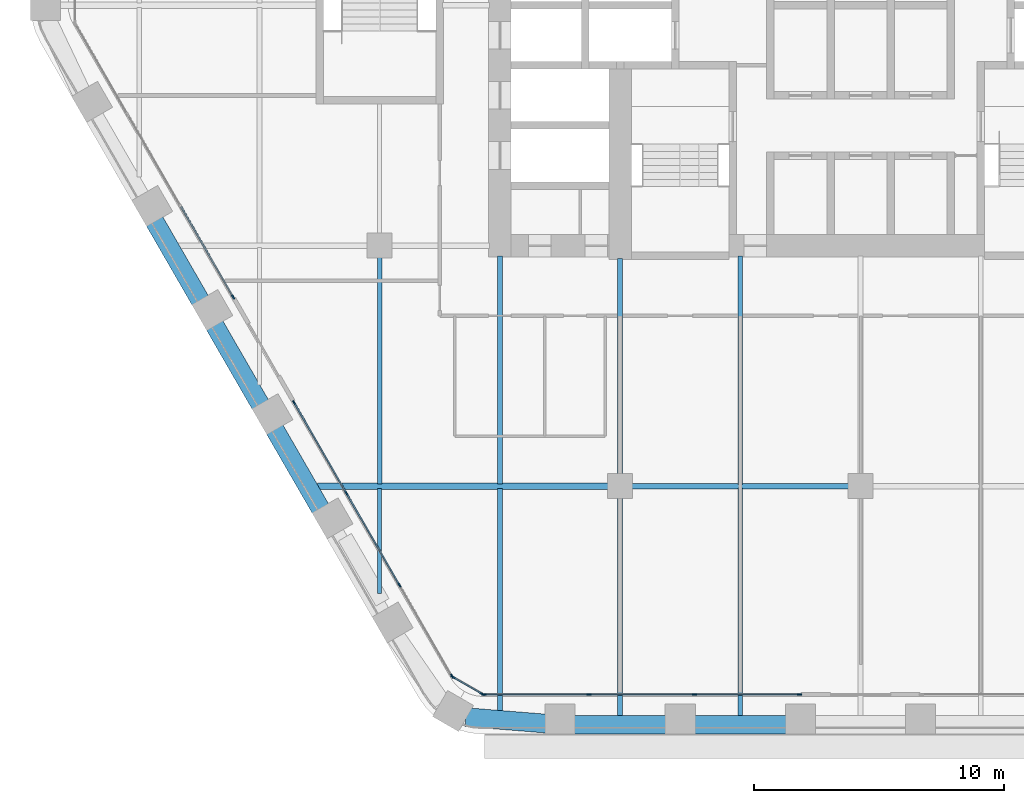
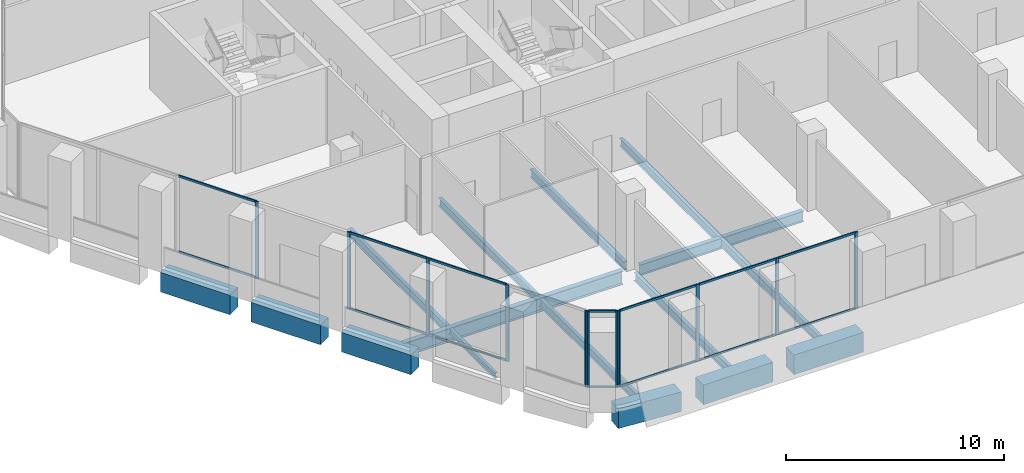
# One storey, part 2 of 22: 25 members, 16 beams, 4 elements without a shape of their own.
"""IFC4 building model written with IfcOpenShell, lengths in metres."""

from ifc_helpers import new_model, si_unit, direction, frame, origin, origin_2d, place, context, subcontext, project, spatial, rectangle, i_section, extrude, material, material_profile, profile_set, type_object, element, aggregate, save


model = new_model("IFC4")

# Units and contexts
model_context = context("Model", 3, precision=1e-05, world=origin(), true_north=direction((0.0, 1.0)))
body_context = subcontext(model_context, "Body", "Model", "MODEL_VIEW")
ifc_project = project(units=[si_unit("LENGTHUNIT", "METRE"), si_unit("AREAUNIT", "SQUARE_METRE"), si_unit("VOLUMEUNIT", "CUBIC_METRE"), si_unit("PLANEANGLEUNIT", "RADIAN"), si_unit("MASSUNIT", "GRAM", prefix="KILO")], contexts=[model_context])

# Site, building, storey
site_placement = place(None, origin())
site = spatial("IfcSite", under=ifc_project, at=site_placement, CompositionType="ELEMENT")
building_placement = place(site_placement, origin())
building = spatial("IfcBuilding", under=site, at=building_placement, Name="Kolab Exchange Tower", CompositionType="ELEMENT")
storey_placement = place(building_placement, frame((0.0, 0.0, 113.89990234375)))
storey = spatial("IfcBuildingStorey", under=building, at=storey_placement, Name="L22", CompositionType="ELEMENT", Elevation=113.89990234375)

# Beams
ifc_material_1 = material(Name="Steel S355", Category="steel")
ifc_material_profile_1 = material_profile(ifc_material_1, i_section(OverallWidth=0.1650390625, OverallDepth=0.31005859375, WebThickness=0.005859375, FlangeThickness=0.009765625, at=origin_2d()), Name="W310X39")
ifc_profile_set_1 = profile_set([ifc_material_profile_1], Name="Steel S355")
beam_type_1 = type_object("IfcBeamType", Name="FLOOR BEAM W310X39", PredefinedType="BEAM", material=ifc_profile_set_1)
beam_1_placement = place(storey_placement, frame((-19.199951171875, -23.4814453125, -0.35498046875), z_axis=(0.0, 1.0, 0.0), x_axis=(-1.0, 0.0, 0.0)))
element("IfcBeam", 1, at=beam_1_placement, inside=storey, type_object=beam_type_1, Name="beam/L22/fr/006", PredefinedType="BEAM", context=body_context, shape_type="SweptSolid", body=[
    extrude(i_section(OverallWidth=0.1650390625, OverallDepth=0.31005859375, WebThickness=0.005859375, FlangeThickness=0.009765625, at=origin_2d()), origin(), (0.0, 0.0, 1.0), 4.18798828125),
])
ifc_material_profile_2 = material_profile(ifc_material_1, i_section(OverallWidth=0.18994140625, OverallDepth=0.45703125, WebThickness=0.009033203125, FlangeThickness=0.014404296875, at=origin_2d()), Name="W460X74")
ifc_profile_set_2 = profile_set([ifc_material_profile_2], Name="Steel S355")
beam_type_2 = type_object("IfcBeamType", Name="FLOOR BEAM W460X74", PredefinedType="BEAM", material=ifc_profile_set_2)
beam_2_placement = place(storey_placement, frame((-19.199951171875, -19.1064453125, -0.428466796875), z_axis=(0.0, 1.0, 0.0), x_axis=(-1.0, 0.0, 0.0)))
element("IfcBeam", 2, at=beam_2_placement, inside=storey, type_object=beam_type_2, Name="beam/L22/fr/007", PredefinedType="BEAM", context=body_context, shape_type="SweptSolid", body=[
    extrude(i_section(OverallWidth=0.18994140625, OverallDepth=0.45703125, WebThickness=0.009033203125, FlangeThickness=0.014404296875, at=origin_2d()), origin(), (0.0, 0.0, 1.0), 9.04638671875),
])
beam_3_placement = place(storey_placement, frame((-14.39990234375, -28.194580078125, -0.428466796875), z_axis=(0.0, 1.0, 0.0), x_axis=(-1.0, 0.0, 0.0)))
element("IfcBeam", 3, at=beam_3_placement, inside=storey, type_object=beam_type_2, Name="beam/L22/fr/012", PredefinedType="BEAM", context=body_context, shape_type="SweptSolid", body=[
    extrude(i_section(OverallWidth=0.18994140625, OverallDepth=0.45703125, WebThickness=0.009033203125, FlangeThickness=0.014404296875, at=origin_2d()), origin(), (0.0, 0.0, 1.0), 8.901123046875),
])
beam_4_placement = place(storey_placement, frame((-14.39990234375, -19.1064453125, -0.428466796875), z_axis=(0.0, 1.0, 0.0), x_axis=(-1.0, 0.0, 0.0)))
element("IfcBeam", 4, at=beam_4_placement, inside=storey, type_object=beam_type_2, Name="beam/L22/fr/013", PredefinedType="BEAM", context=body_context, shape_type="SweptSolid", body=[
    extrude(i_section(OverallWidth=0.18994140625, OverallDepth=0.45703125, WebThickness=0.009033203125, FlangeThickness=0.014404296875, at=origin_2d()), origin(), (0.0, 0.0, 1.0), 9.096435546875),
])
beam_5_placement = place(storey_placement, frame((-9.60009765625, -28.388427734375, -0.428466796875), z_axis=(0.0, 1.0, 0.0), x_axis=(-1.0, 0.0, 0.0)))
element("IfcBeam", 5, at=beam_5_placement, inside=storey, type_object=beam_type_2, Name="beam/L22/fr/016", PredefinedType="BEAM", context=body_context, shape_type="SweptSolid", body=[
    extrude(i_section(OverallWidth=0.18994140625, OverallDepth=0.45703125, WebThickness=0.009033203125, FlangeThickness=0.014404296875, at=origin_2d()), origin(), (0.0, 0.0, 1.0), 8.728515625),
])
beam_6_placement = place(storey_placement, frame((-9.60009765625, -18.739990234375, -0.428466796875), z_axis=(0.0, 1.0, 0.0), x_axis=(-1.0, 0.0, 0.0)))
element("IfcBeam", 6, at=beam_6_placement, inside=storey, type_object=beam_type_2, Name="beam/L22/fr/017", PredefinedType="BEAM", context=body_context, shape_type="SweptSolid", body=[
    extrude(i_section(OverallWidth=0.18994140625, OverallDepth=0.45703125, WebThickness=0.009033203125, FlangeThickness=0.014404296875, at=origin_2d()), origin(), (0.0, 0.0, 1.0), 8.6298828125),
])
beam_7_placement = place(storey_placement, frame((-4.800048828125, -28.388427734375, -0.428466796875), z_axis=(0.0, 1.0, 0.0), x_axis=(-1.0, 0.0, 0.0)))
element("IfcBeam", 7, at=beam_7_placement, inside=storey, type_object=beam_type_2, Name="beam/L22/fr/020", PredefinedType="BEAM", context=body_context, shape_type="SweptSolid", body=[
    extrude(i_section(OverallWidth=0.18994140625, OverallDepth=0.45703125, WebThickness=0.009033203125, FlangeThickness=0.014404296875, at=origin_2d()), origin(), (0.0, 0.0, 1.0), 9.114501953125),
])
beam_8_placement = place(storey_placement, frame((-4.800048828125, -19.1259765625, -0.428466796875), z_axis=(0.0, 1.0, 0.0), x_axis=(-1.0, 0.0, 0.0)))
element("IfcBeam", 8, at=beam_8_placement, inside=storey, type_object=beam_type_2, Name="beam/L22/fr/021", PredefinedType="BEAM", context=body_context, shape_type="SweptSolid", body=[
    extrude(i_section(OverallWidth=0.18994140625, OverallDepth=0.45703125, WebThickness=0.009033203125, FlangeThickness=0.014404296875, at=origin_2d()), origin(), (0.0, 0.0, 1.0), 9.115966796875),
])
ifc_material_profile_3 = material_profile(ifc_material_1, i_section(OverallWidth=0.22802734375, OverallDepth=0.60791015625, WebThickness=0.01123046875, FlangeThickness=0.017333984375, at=origin_2d()), Name="W610X113")
ifc_profile_set_3 = profile_set([ifc_material_profile_3], Name="Steel S355")
beam_type_3 = type_object("IfcBeamType", Name="FLOOR GIRDER W610X113", PredefinedType="BEAM", material=ifc_profile_set_3)
beam_9_placement = place(storey_placement, frame((-9.139892578125, -19.199951171875, -0.50390625), z_axis=(1.0, 0.0, 0.0), x_axis=(0.0, 1.0, 0.0)))
element("IfcBeam", 9, at=beam_9_placement, inside=storey, type_object=beam_type_3, Name="beam/L22/gd/008", PredefinedType="BEAM", context=body_context, shape_type="SweptSolid", body=[
    extrude(i_section(OverallWidth=0.22802734375, OverallDepth=0.60791015625, WebThickness=0.01123046875, FlangeThickness=0.017333984375, at=origin_2d()), origin(), (0.0, 0.0, 1.0), 8.679931640625),
])
ifc_material_profile_4 = material_profile(ifc_material_1, i_section(OverallWidth=0.26708984375, OverallDepth=0.761962890625, WebThickness=0.014404296875, FlangeThickness=0.021484375, at=origin_2d()), Name="W760X173")
ifc_profile_set_4 = profile_set([ifc_material_profile_4], Name="Steel S355")
beam_type_4 = type_object("IfcBeamType", Name="FLOOR GIRDER W760X173", PredefinedType="BEAM", material=ifc_profile_set_4)
beam_10_placement = place(storey_placement, frame((-21.688720703125, -19.199951171875, -0.580810546875), z_axis=(1.0, 0.0, 0.0), x_axis=(0.0, 1.0, 0.0)))
element("IfcBeam", 10, at=beam_10_placement, inside=storey, type_object=beam_type_4, Name="beam/L22/gd/003", PredefinedType="BEAM", context=body_context, shape_type="SweptSolid", body=[
    extrude(i_section(OverallWidth=0.26708984375, OverallDepth=0.761962890625, WebThickness=0.014404296875, FlangeThickness=0.021484375, at=origin_2d()), origin(), (0.0, 0.0, 1.0), 11.628662109375),
])
ifc_material_2 = material(Name="Concrete C70/85", Category="concrete")
ifc_material_profile_5 = material_profile(ifc_material_2, rectangle(XDim=0.75, YDim=1.10009765625, at=origin_2d()), Name="RC750X1100")
ifc_profile_set_5 = profile_set([ifc_material_profile_5], Name="Concrete C70/85")
beam_type_5 = type_object("IfcBeamType", Name="SPANDREL BEAM 750X1100 C70/85", PredefinedType="BEAM", material=ifc_profile_set_5)
for number, where, z_axis, x_axis, name in (
    (11, (-2.9599609375, -28.723388671875, -0.75), (-1.0, 0.0, 0.0), (0.0, -1.0, 0.0), "beam/L22/sp/F4-05"),
    (12, (-7.760009765625, -28.723388671875, -0.75), (-1.0, 0.0, 0.0), (0.0, -1.0, 0.0), "beam/L22/sp/F4-06"),
):
    element("IfcBeam", number, at=place(storey_placement, frame(where, z_axis=z_axis, x_axis=x_axis)), inside=storey, type_object=beam_type_5, Name=name, PredefinedType="BEAM", context=body_context, shape_type="SweptSolid", body=[
        extrude(rectangle(XDim=0.75, YDim=1.10009765625, at=origin_2d()), origin(), (0.0, 0.0, 1.0), 3.679931640625),
    ])
beam_11_placement = place(storey_placement, frame((-12.56005859375, -28.678466796875, -0.75), z_axis=(-0.996791038408, 0.080047646748, 0.0), x_axis=(-0.080047646748, -0.996791038408, 0.0)))
element("IfcBeam", 13, at=beam_11_placement, inside=storey, type_object=beam_type_5, Name="beam/L22/sp/F4-07", PredefinedType="BEAM", context=body_context, shape_type="SweptSolid", body=[
    extrude(rectangle(XDim=0.75, YDim=1.10009765625, at=origin_2d()), origin(), (0.0, 0.0, 1.0), 3.20849609375),
])
beam_12_placement = place(storey_placement, frame((-21.55517578125, -20.112060546875, -0.75), z_axis=(-0.500013413428, 0.866017659399, 0.0), x_axis=(-0.866017659399, -0.500013413428, 0.0)))
element("IfcBeam", 14, at=beam_12_placement, inside=storey, type_object=beam_type_5, Name="beam/L22/sp/F5-03", PredefinedType="BEAM", context=body_context, shape_type="SweptSolid", body=[
    extrude(rectangle(XDim=0.75, YDim=1.10009765625, at=origin_2d()), origin(), (0.0, 0.0, 1.0), 3.68017578125),
])
beam_13_placement = place(storey_placement, frame((-23.955322265625, -15.955322265625, -0.75), z_axis=(-0.499963655964, 0.866046386007, 0.0), x_axis=(-0.866046386007, -0.499963655964, 0.0)))
element("IfcBeam", 15, at=beam_13_placement, inside=storey, type_object=beam_type_5, Name="beam/L22/sp/F5-04", PredefinedType="BEAM", context=body_context, shape_type="SweptSolid", body=[
    extrude(rectangle(XDim=0.75, YDim=1.10009765625, at=origin_2d()), origin(), (0.0, 0.0, 1.0), 3.679931640625),
])
beam_14_placement = place(storey_placement, frame((-26.355224609375, -11.79833984375, -0.75), z_axis=(-0.500013413428, 0.866017659399, 0.0), x_axis=(-0.866017659399, -0.500013413428, 0.0)))
element("IfcBeam", 16, at=beam_14_placement, inside=storey, type_object=beam_type_5, Name="beam/L22/sp/F5-05", PredefinedType="BEAM", context=body_context, shape_type="SweptSolid", body=[
    extrude(rectangle(XDim=0.75, YDim=1.10009765625, at=origin_2d()), origin(), (0.0, 0.0, 1.0), 3.68017578125),
])

# Curtain wall, members
ifc_material_3 = material(Name="Aluminium EN AW-6063 T6", Category="aluminium")
curtain_wall_type = type_object("IfcCurtainWallType", Name="UNITISED LOWER MID ZONE CURTAIN WALL", PredefinedType="NOTDEFINED", material=ifc_material_3)
curtain_wall_1_placement = place(storey_placement, origin())
curtain_wall_1 = element("IfcCurtainWall", 17, at=curtain_wall_1_placement, inside=storey, type_object=curtain_wall_type, Name="cw/L22/F4-2", PredefinedType="NOTDEFINED")
ifc_material_profile_6 = material_profile(ifc_material_3, rectangle(XDim=0.06005859375, YDim=0.179931640625, at=origin_2d()), Name="RECT 60X180")
ifc_profile_set_6 = profile_set([ifc_material_profile_6], Name="Aluminium EN AW-6063 T6")
member_type_1 = type_object("IfcMemberType", Name="UNITISED LOWER MID ZONE MULLION 60 X 180", PredefinedType="MULLION", material=ifc_profile_set_6)
member_1_placement = place(storey_placement, frame((-2.429931640625, -27.5185546875, 0.0), z_axis=(0.0, 0.0, 1.0), x_axis=(0.0, -1.0, 0.0)))
member_1 = element("IfcMember", 18, at=member_1_placement, type_object=member_type_1, Name="CW2 mullion 1", PredefinedType="MULLION", context=body_context, shape_type="SweptSolid", body=[
    extrude(rectangle(XDim=0.06005859375, YDim=0.179931640625, at=origin_2d()), origin(), (0.0, 0.0, 1.0), 4.300048828125),
])
member_2_placement = place(storey_placement, frame((-6.62255859375, -27.5185546875, 0.0), z_axis=(0.0, 0.0, 1.0), x_axis=(0.0, -1.0, 0.0)))
member_2 = element("IfcMember", 19, at=member_2_placement, type_object=member_type_1, Name="CW2 mullion 2", PredefinedType="MULLION", context=body_context, shape_type="SweptSolid", body=[
    extrude(rectangle(XDim=0.06005859375, YDim=0.179931640625, at=origin_2d()), origin(), (0.0, 0.0, 1.0), 4.300048828125),
])
member_3_placement = place(storey_placement, frame((-10.84521484375, -27.5185546875, 0.0), z_axis=(0.0, 0.0, 1.0), x_axis=(0.0, -1.0, 0.0)))
member_3 = element("IfcMember", 20, at=member_3_placement, type_object=member_type_1, Name="CW2 mullion 3", PredefinedType="MULLION", context=body_context, shape_type="SweptSolid", body=[
    extrude(rectangle(XDim=0.06005859375, YDim=0.179931640625, at=origin_2d()), origin(), (0.0, 0.0, 1.0), 4.300048828125),
])
member_4_placement = place(storey_placement, frame((-15.037841796875, -27.5185546875, 0.0), z_axis=(0.0, 0.0, 1.0), x_axis=(0.0, -1.0, 0.0)))
member_4 = element("IfcMember", 21, at=member_4_placement, type_object=member_type_1, Name="CW2 mullion 4", PredefinedType="MULLION", context=body_context, shape_type="SweptSolid", body=[
    extrude(rectangle(XDim=0.06005859375, YDim=0.179931640625, at=origin_2d()), origin(), (0.0, 0.0, 1.0), 4.300048828125),
])

curtain_wall_2_placement = place(storey_placement, origin())
curtain_wall_2 = element("IfcCurtainWall", 22, at=curtain_wall_2_placement, inside=storey, type_object=curtain_wall_type, Name="cw/L22/F5-1", PredefinedType="NOTDEFINED")
member_5_placement = place(storey_placement, frame((-16.312744140625, -26.782470703125, 0.0), z_axis=(0.0, 0.0, 1.0), x_axis=(-0.866025393644, -0.500000017564, 0.0)))
member_5 = element("IfcMember", 23, at=member_5_placement, type_object=member_type_1, Name="CW2 mullion 1", PredefinedType="MULLION", context=body_context, shape_type="SweptSolid", body=[
    extrude(rectangle(XDim=0.06005859375, YDim=0.179931640625, at=origin_2d()), origin(), (0.0, 0.0, 1.0), 4.300048828125),
])
member_6_placement = place(storey_placement, frame((-18.408935546875, -23.151611328125, 0.0), z_axis=(0.0, 0.0, 1.0), x_axis=(-0.866025393644, -0.500000017564, 0.0)))
member_6 = element("IfcMember", 24, at=member_6_placement, type_object=member_type_1, Name="CW2 mullion 2", PredefinedType="MULLION", context=body_context, shape_type="SweptSolid", body=[
    extrude(rectangle(XDim=0.06005859375, YDim=0.179931640625, at=origin_2d()), origin(), (0.0, 0.0, 1.0), 4.300048828125),
])
member_7_placement = place(storey_placement, frame((-20.520263671875, -19.49462890625, 0.0), z_axis=(0.0, 0.0, 1.0), x_axis=(-0.866025393644, -0.500000017564, 0.0)))
member_7 = element("IfcMember", 25, at=member_7_placement, type_object=member_type_1, Name="CW2 mullion 3", PredefinedType="MULLION", context=body_context, shape_type="SweptSolid", body=[
    extrude(rectangle(XDim=0.06005859375, YDim=0.179931640625, at=origin_2d()), origin(), (0.0, 0.0, 1.0), 4.300048828125),
])
member_8_placement = place(storey_placement, frame((-22.61669921875, -15.86376953125, 0.0), z_axis=(0.0, 0.0, 1.0), x_axis=(-0.866025393644, -0.500000017564, 0.0)))
member_8 = element("IfcMember", 26, at=member_8_placement, type_object=member_type_1, Name="CW2 mullion 4", PredefinedType="MULLION", context=body_context, shape_type="SweptSolid", body=[
    extrude(rectangle(XDim=0.06005859375, YDim=0.179931640625, at=origin_2d()), origin(), (0.0, 0.0, 1.0), 4.300048828125),
])

# Curtain wall, member
curtain_wall_3_placement = place(storey_placement, origin())
curtain_wall_3 = element("IfcCurtainWall", 27, at=curtain_wall_3_placement, inside=storey, type_object=curtain_wall_type, Name="cw/L22/F5-2", PredefinedType="NOTDEFINED")
member_9_placement = place(storey_placement, frame((-25.046630859375, -11.65478515625, 0.0), z_axis=(0.0, 0.0, 1.0), x_axis=(-0.866025427826, -0.499999958358, 0.0)))
member_9 = element("IfcMember", 28, at=member_9_placement, type_object=member_type_1, Name="CW2 mullion 1", PredefinedType="MULLION", context=body_context, shape_type="SweptSolid", body=[
    extrude(rectangle(XDim=0.06005859375, YDim=0.179931640625, at=origin_2d()), origin(), (0.0, 0.0, 1.0), 4.300048828125),
])

# Curtain wall, members
curtain_wall_4_placement = place(storey_placement, origin())
curtain_wall_4 = element("IfcCurtainWall", 29, at=curtain_wall_4_placement, inside=storey, type_object=curtain_wall_type, Name="cw/L22/F4F5-corner", PredefinedType="NOTDEFINED")
member_10_placement = place(storey_placement, frame((-15.093994140625, -27.50341796875, 0.0), z_axis=(0.0, 0.0, 1.0), x_axis=(-0.50000002237, -0.866025390869, 0.0)))
member_10 = element("IfcMember", 30, at=member_10_placement, type_object=member_type_1, Name="CW2 mullion 1", PredefinedType="MULLION", context=body_context, shape_type="SweptSolid", body=[
    extrude(rectangle(XDim=0.06005859375, YDim=0.179931640625, at=origin_2d()), origin(), (0.0, 0.0, 1.0), 4.300048828125),
])
member_11_placement = place(storey_placement, frame((-16.271728515625, -26.823486328125, 0.0), z_axis=(0.0, 0.0, 1.0), x_axis=(-0.50000002237, -0.866025390869, 0.0)))
member_11 = element("IfcMember", 31, at=member_11_placement, type_object=member_type_1, Name="CW2 mullion 2", PredefinedType="MULLION", context=body_context, shape_type="SweptSolid", body=[
    extrude(rectangle(XDim=0.06005859375, YDim=0.179931640625, at=origin_2d()), origin(), (0.0, 0.0, 1.0), 4.300048828125),
])

# Member
ifc_material_profile_7 = material_profile(ifc_material_3, rectangle(XDim=0.06005859375, YDim=0.1201171875, at=origin_2d()), Name="RECT 60X120")
ifc_profile_set_7 = profile_set([ifc_material_profile_7], Name="Aluminium EN AW-6063 T6")
member_type_2 = type_object("IfcMemberType", Name="UNITISED LOWER MID ZONE TRANSOM 60 X 120", PredefinedType="USERDEFINED", material=ifc_profile_set_7)
member_12_placement = place(storey_placement, frame((-2.4599609375, -27.5185546875, 0.030029296875), z_axis=(-1.0, 0.0, 0.0), x_axis=(0.0, -1.0, 0.0)))
member_12 = element("IfcMember", 32, at=member_12_placement, type_object=member_type_2, Name="CW2 transom 1.1", ObjectType="TRANSOM", PredefinedType="USERDEFINED", context=body_context, shape_type="SweptSolid", body=[
    extrude(rectangle(XDim=0.06005859375, YDim=0.1201171875, at=origin_2d()), origin(), (0.0, 0.0, 1.0), 4.132568359375),
])

member_13_placement = place(storey_placement, frame((-2.4599609375, -27.5185546875, 4.27001953125), z_axis=(-1.0, 0.0, 0.0), x_axis=(0.0, -1.0, 0.0)))
member_13 = element("IfcMember", 33, at=member_13_placement, type_object=member_type_2, Name="CW2 transom 1.2", ObjectType="TRANSOM", PredefinedType="USERDEFINED", context=body_context, shape_type="SweptSolid", body=[
    extrude(rectangle(XDim=0.06005859375, YDim=0.1201171875, at=origin_2d()), origin(), (0.0, 0.0, 1.0), 4.132568359375),
])

member_14_placement = place(storey_placement, frame((-6.652587890625, -27.5185546875, 0.030029296875), z_axis=(-1.0, 0.0, 0.0), x_axis=(0.0, -1.0, 0.0)))
member_14 = element("IfcMember", 34, at=member_14_placement, type_object=member_type_2, Name="CW2 transom 2.1", ObjectType="TRANSOM", PredefinedType="USERDEFINED", context=body_context, shape_type="SweptSolid", body=[
    extrude(rectangle(XDim=0.06005859375, YDim=0.1201171875, at=origin_2d()), origin(), (0.0, 0.0, 1.0), 4.16259765625),
])

member_15_placement = place(storey_placement, frame((-6.652587890625, -27.5185546875, 4.27001953125), z_axis=(-1.0, 0.0, 0.0), x_axis=(0.0, -1.0, 0.0)))
member_15 = element("IfcMember", 35, at=member_15_placement, type_object=member_type_2, Name="CW2 transom 2.2", ObjectType="TRANSOM", PredefinedType="USERDEFINED", context=body_context, shape_type="SweptSolid", body=[
    extrude(rectangle(XDim=0.06005859375, YDim=0.1201171875, at=origin_2d()), origin(), (0.0, 0.0, 1.0), 4.16259765625),
])

member_16_placement = place(storey_placement, frame((-10.875244140625, -27.5185546875, 0.030029296875), z_axis=(-1.0, 0.0, 0.0), x_axis=(0.0, -1.0, 0.0)))
member_16 = element("IfcMember", 36, at=member_16_placement, type_object=member_type_2, Name="CW2 transom 3.1", ObjectType="TRANSOM", PredefinedType="USERDEFINED", context=body_context, shape_type="SweptSolid", body=[
    extrude(rectangle(XDim=0.06005859375, YDim=0.1201171875, at=origin_2d()), origin(), (0.0, 0.0, 1.0), 4.1328125),
])

member_17_placement = place(storey_placement, frame((-10.875244140625, -27.5185546875, 4.27001953125), z_axis=(-1.0, 0.0, 0.0), x_axis=(0.0, -1.0, 0.0)))
member_17 = element("IfcMember", 37, at=member_17_placement, type_object=member_type_2, Name="CW2 transom 3.2", ObjectType="TRANSOM", PredefinedType="USERDEFINED", context=body_context, shape_type="SweptSolid", body=[
    extrude(rectangle(XDim=0.06005859375, YDim=0.1201171875, at=origin_2d()), origin(), (0.0, 0.0, 1.0), 4.1328125),
])

aggregate(curtain_wall_1, [member_1, member_2, member_3, member_4, member_12, member_13, member_14, member_15, member_16, member_17])

member_18_placement = place(storey_placement, frame((-18.424072265625, -23.12548828125, 0.030029296875), z_axis=(-0.49999322259, 0.866029316688, 0.0), x_axis=(-0.866029316688, -0.49999322259, 0.0)))
member_18 = element("IfcMember", 38, at=member_18_placement, type_object=member_type_2, Name="CW2 transom 2.1", ObjectType="TRANSOM", PredefinedType="USERDEFINED", context=body_context, shape_type="SweptSolid", body=[
    extrude(rectangle(XDim=0.06005859375, YDim=0.1201171875, at=origin_2d()), origin(), (0.0, 0.0, 1.0), 4.16259765625),
])

member_19_placement = place(storey_placement, frame((-18.424072265625, -23.12548828125, 4.27001953125), z_axis=(-0.49999322259, 0.866029316688, 0.0), x_axis=(-0.866029316688, -0.49999322259, 0.0)))
member_19 = element("IfcMember", 39, at=member_19_placement, type_object=member_type_2, Name="CW2 transom 2.2", ObjectType="TRANSOM", PredefinedType="USERDEFINED", context=body_context, shape_type="SweptSolid", body=[
    extrude(rectangle(XDim=0.06005859375, YDim=0.1201171875, at=origin_2d()), origin(), (0.0, 0.0, 1.0), 4.16259765625),
])

member_20_placement = place(storey_placement, frame((-20.535400390625, -19.46875, 0.030029296875), z_axis=(-0.499957688808, 0.866049830784, 0.0), x_axis=(-0.866049830784, -0.499957688808, 0.0)))
member_20 = element("IfcMember", 40, at=member_20_placement, type_object=member_type_2, Name="CW2 transom 3.1", ObjectType="TRANSOM", PredefinedType="USERDEFINED", context=body_context, shape_type="SweptSolid", body=[
    extrude(rectangle(XDim=0.06005859375, YDim=0.1201171875, at=origin_2d()), origin(), (0.0, 0.0, 1.0), 4.132568359375),
])

member_21_placement = place(storey_placement, frame((-20.535400390625, -19.46875, 4.27001953125), z_axis=(-0.499957688808, 0.866049830784, 0.0), x_axis=(-0.866049830784, -0.499957688808, 0.0)))
member_21 = element("IfcMember", 41, at=member_21_placement, type_object=member_type_2, Name="CW2 transom 3.2", ObjectType="TRANSOM", PredefinedType="USERDEFINED", context=body_context, shape_type="SweptSolid", body=[
    extrude(rectangle(XDim=0.06005859375, YDim=0.1201171875, at=origin_2d()), origin(), (0.0, 0.0, 1.0), 4.132568359375),
])

aggregate(curtain_wall_2, [member_5, member_6, member_7, member_8, member_18, member_19, member_20, member_21])

member_22_placement = place(storey_placement, frame((-25.061767578125, -11.62890625, 0.030029296875), z_axis=(-0.499957688808, 0.866049830784, 0.0), x_axis=(-0.866049830784, -0.499957688808, 0.0)))
member_22 = element("IfcMember", 42, at=member_22_placement, type_object=member_type_2, Name="CW2 transom 1.1", ObjectType="TRANSOM", PredefinedType="USERDEFINED", context=body_context, shape_type="SweptSolid", body=[
    extrude(rectangle(XDim=0.06005859375, YDim=0.1201171875, at=origin_2d()), origin(), (0.0, 0.0, 1.0), 4.132568359375),
])

member_23_placement = place(storey_placement, frame((-25.061767578125, -11.62890625, 4.27001953125), z_axis=(-0.499957688808, 0.866049830784, 0.0), x_axis=(-0.866049830784, -0.499957688808, 0.0)))
member_23 = element("IfcMember", 43, at=member_23_placement, type_object=member_type_2, Name="CW2 transom 1.2", ObjectType="TRANSOM", PredefinedType="USERDEFINED", context=body_context, shape_type="SweptSolid", body=[
    extrude(rectangle(XDim=0.06005859375, YDim=0.1201171875, at=origin_2d()), origin(), (0.0, 0.0, 1.0), 4.132568359375),
])

aggregate(curtain_wall_3, [member_9, member_22, member_23])

member_24_placement = place(storey_placement, frame((-15.119873046875, -27.488525390625, 0.030029296875), z_axis=(-0.866004217611, 0.500036693733, 0.0), x_axis=(-0.500036693733, -0.866004217611, 0.0)))
member_24 = element("IfcMember", 44, at=member_24_placement, type_object=member_type_2, Name="CW2 transom 1.1", ObjectType="TRANSOM", PredefinedType="USERDEFINED", context=body_context, shape_type="SweptSolid", body=[
    extrude(rectangle(XDim=0.06005859375, YDim=0.1201171875, at=origin_2d()), origin(), (0.0, 0.0, 1.0), 1.30029296875),
])

member_25_placement = place(storey_placement, frame((-15.119873046875, -27.488525390625, 4.27001953125), z_axis=(-0.866004217611, 0.500036693733, 0.0), x_axis=(-0.500036693733, -0.866004217611, 0.0)))
member_25 = element("IfcMember", 45, at=member_25_placement, type_object=member_type_2, Name="CW2 transom 1.2", ObjectType="TRANSOM", PredefinedType="USERDEFINED", context=body_context, shape_type="SweptSolid", body=[
    extrude(rectangle(XDim=0.06005859375, YDim=0.1201171875, at=origin_2d()), origin(), (0.0, 0.0, 1.0), 1.30029296875),
])

aggregate(curtain_wall_4, [member_10, member_11, member_24, member_25])

save(model, "model.ifc")
